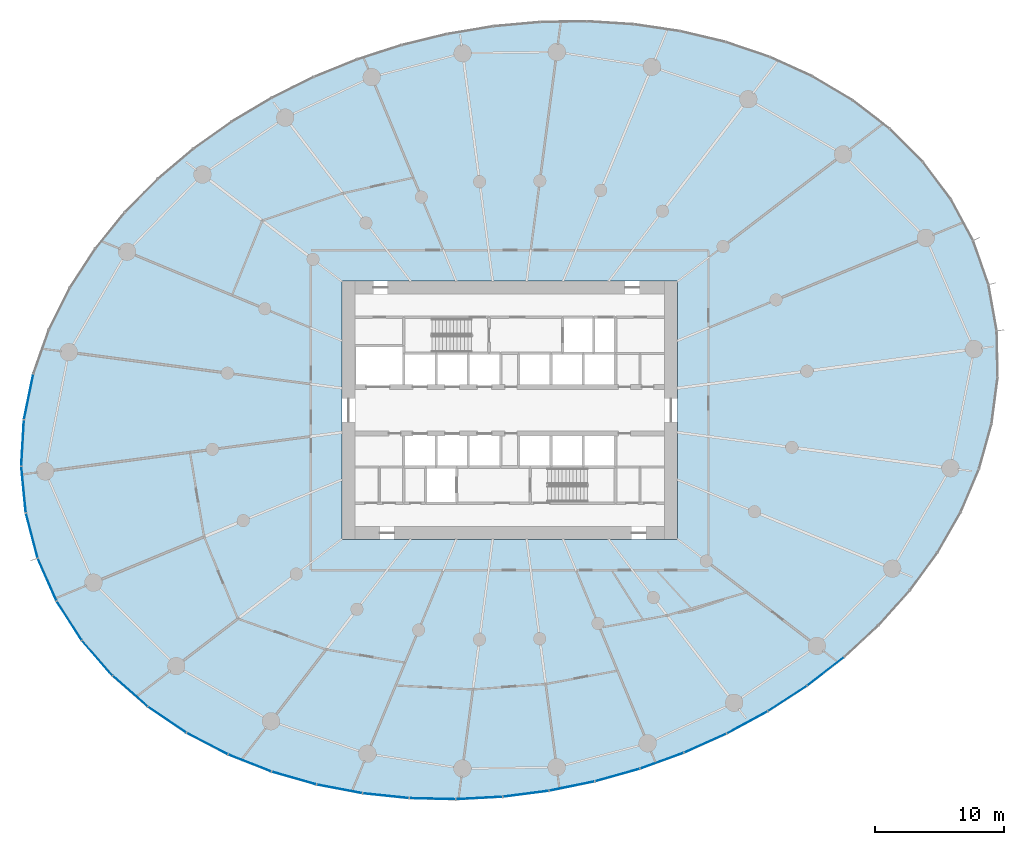
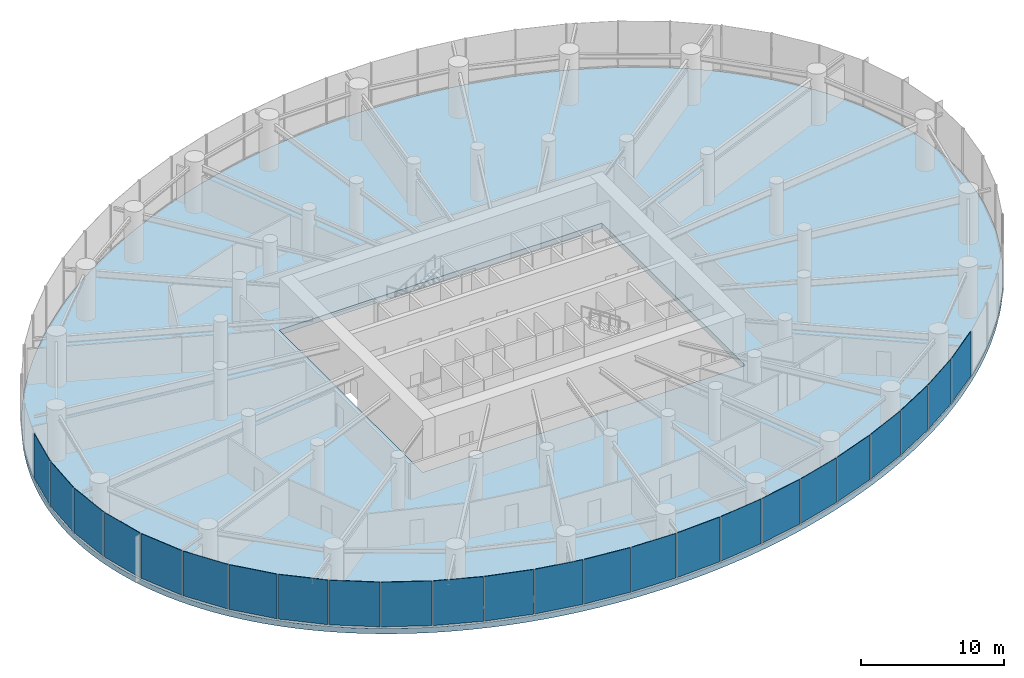
# One storey, part 9 of 18: 24 plates, 1 slab, 5 elements without a shape of their own.
"""IFC4 building model written with IfcOpenShell, lengths in metres."""

from ifc_helpers import new_model, si_unit, direction, frame, origin, origin_2d, place, context, subcontext, project, spatial, line, indexed_curve, rectangle, outline, extrude, source, transform, mapped, material, layer, layer_set, type_object, element, aggregate, save


model = new_model("IFC4")

# Units and contexts
model_context = context("Model", 3, precision=1e-05, world=origin(), true_north=direction((0.0, 1.0)))
body_context = subcontext(model_context, "Body", "Model", "MODEL_VIEW")
ifc_project = project(units=[si_unit("LENGTHUNIT", "METRE"), si_unit("AREAUNIT", "SQUARE_METRE"), si_unit("VOLUMEUNIT", "CUBIC_METRE"), si_unit("PLANEANGLEUNIT", "RADIAN"), si_unit("MASSUNIT", "GRAM", prefix="KILO")], contexts=[model_context])

# Site, building, storey
site_placement = place(None, origin())
site = spatial("IfcSite", under=ifc_project, at=site_placement, CompositionType="ELEMENT")
building_placement = place(site_placement, origin())
building = spatial("IfcBuilding", under=site, at=building_placement, Name="Spindrift Exchange Tower", CompositionType="ELEMENT")
storey_placement = place(building_placement, frame((0.0, 0.0, 66.60009765625)))
storey = spatial("IfcBuildingStorey", under=building, at=storey_placement, Name="L15", CompositionType="ELEMENT", Elevation=66.60009765625)

# Slab
ifc_material_1 = material(Name="Concrete 50 MPa", Category="concrete")
ifc_layer_1 = layer(ifc_material_1, 0.449951171875)
ifc_layer_set_1 = layer_set([ifc_layer_1], Name="RC Floor Slab 450 Concrete 50 MPa")
slab_type = type_object("IfcSlabType", Name="RC Floor Slab 450 Concrete 50 MPa", PredefinedType="FLOOR", material=ifc_layer_set_1)
slab_placement = place(storey_placement, frame((0.0, 0.0, -0.4501953125)))
element("IfcSlab", 1, at=slab_placement, inside=storey, type_object=slab_type, Name="Floor slab L15", PredefinedType="FLOOR", context=body_context, shape_type="SweptSolid", body=[
    extrude(outline(indexed_curve([(89.095458984375, 57.72900390625), (88.93701171875, 58.30224609375), (88.763671875, 58.87109375), (88.575439453125, 59.43505859375), (88.372802734375, 59.993896484375), (88.155517578125, 60.547607421875), (87.923828125, 61.09521484375), (87.67822265625, 61.63671875), (87.4189453125, 62.171630859375), (87.14599609375, 62.699951171875), (86.859619140625, 63.22119140625), (86.560302734375, 63.73486328125), (86.248291015625, 64.240966796875), (85.923583984375, 64.7392578125), (85.587158203125, 65.2294921875), (85.23876953125, 65.711181640625), (84.87890625, 66.184814453125), (84.5078125, 66.6494140625), (84.126220703125, 67.105224609375), (83.73388671875, 67.552001953125), (83.331298828125, 67.98974609375), (82.919189453125, 68.418212890625), (82.49755859375, 68.837646484375), (82.066650390625, 69.247314453125), (81.627197265625, 69.647705078125), (81.178955078125, 70.03857421875), (80.72265625, 70.419921875), (80.258544921875, 70.79150390625), (79.786865234375, 71.15380859375), (79.30810546875, 71.506103515625), (78.822265625, 71.848876953125), (78.32958984375, 72.18212890625), (77.830810546875, 72.505615234375), (77.32568359375, 72.819580078125), (76.81494140625, 73.1240234375), (76.298583984375, 73.418701171875), (75.77685546875, 73.7041015625), (75.25, 73.97998046875), (74.718505859375, 74.246337890625), (74.182373046875, 74.50341796875), (73.641845703125, 74.7509765625), (73.096923828125, 74.989501953125), (72.54833984375, 75.218505859375), (71.43994140625, 75.6494140625), (70.880615234375, 75.851318359375), (69.752685546875, 76.228271484375), (68.61376953125, 76.56982421875), (68.040283203125, 76.727294921875), (67.464599609375, 76.87646484375), (66.30712890625, 77.148681640625), (65.725341796875, 77.27197265625), (64.556884765625, 77.49365234375), (63.970703125, 77.592041015625), (62.7939453125, 77.76416015625), (62.203857421875, 77.837890625), (61.02099609375, 77.9619140625), (59.83544921875, 78.0537109375), (59.24169921875, 78.087890625), (58.647705078125, 78.114501953125), (57.458984375, 78.144287109375), (56.864501953125, 78.14794921875), (55.67529296875, 78.132080078125), (55.080810546875, 78.11328125), (53.893310546875, 78.052734375), (52.70751953125, 77.962890625), (52.115478515625, 77.906982421875), (51.524169921875, 77.843994140625), (50.34423828125, 77.6962890625), (49.168212890625, 77.520263671875), (48.581787109375, 77.42138671875), (47.41259765625, 77.202880859375), (46.249267578125, 76.95654296875), (45.669921875, 76.822998046875), (44.51611328125, 76.534912109375), (43.369384765625, 76.219482421875), (42.799072265625, 76.051513671875), (41.664306640625, 75.6953125), (40.538818359375, 75.31201171875), (39.979248046875, 75.110107421875), (38.8681640625, 74.6865234375), (38.31640625, 74.464599609375), (37.221435546875, 74.0009765625), (36.67822265625, 73.759033203125), (35.60107421875, 73.255126953125), (35.067138671875, 72.993408203125), (34.009521484375, 72.449951171875), (32.965576171875, 71.8798828125), (32.44921875, 71.585205078125), (31.936767578125, 71.28369140625), (30.923583984375, 70.660888671875), (29.927001953125, 70.011962890625), (29.435302734375, 69.677734375), (28.465576171875, 68.989501953125), (27.98779296875, 68.635498046875), (27.514892578125, 68.27490234375), (26.584228515625, 67.534423828125), (26.126953125, 67.154296875), (25.228759765625, 66.375), (24.353759765625, 65.569580078125), (23.92529296875, 65.1572265625), (23.08740234375, 64.3134765625), (22.67822265625, 63.882080078125), (22.27587890625, 63.444091796875), (21.4921875, 62.549560546875), (20.738037109375, 61.630126953125), (20.37255859375, 61.1611328125), (20.014892578125, 60.686279296875), (19.66552734375, 60.205078125), (19.324462890625, 59.718017578125), (18.9921875, 59.22509765625), (18.66845703125, 58.72607421875), (18.35400390625, 58.221435546875), (18.048583984375, 57.711181640625), (17.7529296875, 57.1953125), (17.467041015625, 56.673828125), (17.191162109375, 56.147216796875), (16.925537109375, 55.615234375), (16.670654296875, 55.078125), (16.42626953125, 54.535888671875), (16.193115234375, 53.989013671875), (15.97119140625, 53.4375), (15.7607421875, 52.881103515625), (15.56201171875, 52.32080078125), (15.37548828125, 51.756103515625), (15.201416015625, 51.1875), (15.039794921875, 50.615478515625), (14.890869140625, 50.039794921875), (14.755126953125, 49.460693359375), (14.632568359375, 48.87890625), (14.523681640625, 48.29443359375), (14.428466796875, 47.70751953125), (14.347412109375, 47.118408203125), (14.2802734375, 46.527587890625), (14.2275390625, 45.935302734375), (14.189453125, 45.342041015625), (14.166015625, 44.747802734375), (14.1572265625, 44.1533203125), (14.16357421875, 43.55859375), (14.18505859375, 42.964599609375), (14.221435546875, 42.37109375), (14.273193359375, 41.778564453125), (14.34033203125, 41.187744140625), (14.422607421875, 40.59912109375), (14.520263671875, 40.012451171875), (14.63330078125, 39.4287109375), (14.76123046875, 38.847900390625), (14.904541015625, 38.27099609375), (15.06298828125, 37.69775390625), (15.236328125, 37.12890625), (15.424560546875, 36.56494140625), (15.627197265625, 36.006103515625), (15.844482421875, 35.452392578125), (16.076171875, 34.90478515625), (16.32177734375, 34.36328125), (16.5810546875, 33.828369140625), (16.85400390625, 33.300048828125), (17.140380859375, 32.77880859375), (17.439697265625, 32.26513671875), (17.751708984375, 31.759033203125), (18.076416015625, 31.2607421875), (18.412841796875, 30.7705078125), (18.76123046875, 30.288818359375), (19.12109375, 29.815185546875), (19.4921875, 29.3505859375), (19.873779296875, 28.894775390625), (20.26611328125, 28.447998046875), (20.668701171875, 28.01025390625), (21.080810546875, 27.581787109375), (21.50244140625, 27.162353515625), (21.933349609375, 26.752685546875), (22.372802734375, 26.352294921875), (22.821044921875, 25.96142578125), (23.27734375, 25.580078125), (23.741455078125, 25.20849609375), (24.213134765625, 24.84619140625), (24.69189453125, 24.493896484375), (25.177734375, 24.151123046875), (25.67041015625, 23.81787109375), (26.169189453125, 23.494384765625), (26.67431640625, 23.180419921875), (27.18505859375, 22.8759765625), (27.701416015625, 22.581298828125), (28.22314453125, 22.2958984375), (28.75, 22.02001953125), (29.281494140625, 21.753662109375), (29.817626953125, 21.49658203125), (30.358154296875, 21.2490234375), (30.903076171875, 21.010498046875), (31.45166015625, 20.781494140625), (32.56005859375, 20.3505859375), (33.119384765625, 20.148681640625), (34.247314453125, 19.771728515625), (35.38623046875, 19.43017578125), (35.959716796875, 19.272705078125), (36.535400390625, 19.12353515625), (37.69287109375, 18.851318359375), (38.274658203125, 18.72802734375), (39.443115234375, 18.50634765625), (40.029296875, 18.407958984375), (41.2060546875, 18.23583984375), (41.796142578125, 18.162109375), (42.97900390625, 18.0380859375), (44.16455078125, 17.9462890625), (44.75830078125, 17.912109375), (45.352294921875, 17.885498046875), (46.541015625, 17.855712890625), (47.135498046875, 17.85205078125), (48.32470703125, 17.867919921875), (48.919189453125, 17.88671875), (50.106689453125, 17.947265625), (51.29248046875, 18.037109375), (51.884521484375, 18.093017578125), (52.475830078125, 18.156005859375), (53.65576171875, 18.3037109375), (54.831787109375, 18.479736328125), (55.418212890625, 18.57861328125), (56.58740234375, 18.797119140625), (57.750732421875, 19.04345703125), (58.330078125, 19.177001953125), (59.48388671875, 19.465087890625), (60.630615234375, 19.780517578125), (61.200927734375, 19.948486328125), (62.335693359375, 20.3046875), (63.461181640625, 20.68798828125), (64.020751953125, 20.889892578125), (65.1318359375, 21.3134765625), (65.68359375, 21.535400390625), (66.778564453125, 21.9990234375), (67.32177734375, 22.240966796875), (68.39892578125, 22.744873046875), (68.932861328125, 23.006591796875), (69.990478515625, 23.550048828125), (71.034423828125, 24.1201171875), (71.55078125, 24.414794921875), (72.063232421875, 24.71630859375), (73.076416015625, 25.339111328125), (74.072998046875, 25.988037109375), (74.564697265625, 26.322265625), (75.534423828125, 27.010498046875), (76.01220703125, 27.364501953125), (76.485107421875, 27.72509765625), (77.415771484375, 28.465576171875), (77.873046875, 28.845703125), (78.771240234375, 29.625), (79.646240234375, 30.430419921875), (80.07470703125, 30.8427734375), (80.91259765625, 31.6865234375), (81.32177734375, 32.117919921875), (81.72412109375, 32.555908203125), (82.5078125, 33.450439453125), (83.261962890625, 34.369873046875), (83.62744140625, 34.8388671875), (83.985107421875, 35.313720703125), (84.33447265625, 35.794921875), (84.675537109375, 36.281982421875), (85.0078125, 36.77490234375), (85.33154296875, 37.27392578125), (85.64599609375, 37.778564453125), (85.951416015625, 38.288818359375), (86.2470703125, 38.8046875), (86.532958984375, 39.326171875), (86.808837890625, 39.852783203125), (87.074462890625, 40.384765625), (87.329345703125, 40.921875), (87.57373046875, 41.464111328125), (87.806884765625, 42.010986328125), (88.02880859375, 42.5625), (88.2392578125, 43.118896484375), (88.43798828125, 43.67919921875), (88.62451171875, 44.243896484375), (88.798583984375, 44.8125), (88.960205078125, 45.384521484375), (89.109130859375, 45.960205078125), (89.244873046875, 46.539306640625), (89.367431640625, 47.12109375), (89.476318359375, 47.70556640625), (89.571533203125, 48.29248046875), (89.652587890625, 48.881591796875), (89.7197265625, 49.472412109375), (89.7724609375, 50.064697265625), (89.810546875, 50.657958984375), (89.833984375, 51.252197265625), (89.8427734375, 51.8466796875), (89.83642578125, 52.44140625), (89.81494140625, 53.035400390625), (89.778564453125, 53.62890625), (89.726806640625, 54.221435546875), (89.65966796875, 54.812255859375), (89.577392578125, 55.40087890625), (89.479736328125, 55.987548828125), (89.36669921875, 56.5712890625), (89.23876953125, 57.152099609375)], segments=[line(1, 2, 3, 4, 5, 6, 7, 8, 9, 10, 11, 12, 13, 14, 15, 16, 17, 18, 19, 20, 21, 22, 23, 24, 25, 26, 27, 28, 29, 30, 31, 32, 33, 34, 35, 36, 37, 38, 39, 40, 41, 42, 43, 44, 45, 46, 47, 48, 49, 50, 51, 52, 53, 54, 55, 56, 57, 58, 59, 60, 61, 62, 63, 64, 65, 66, 67, 68, 69, 70, 71, 72, 73, 74, 75, 76, 77, 78, 79, 80, 81, 82, 83, 84, 85, 86, 87, 88, 89, 90, 91, 92, 93, 94, 95, 96, 97, 98, 99, 100, 101, 102, 103, 104, 105, 106, 107, 108, 109, 110, 111, 112, 113, 114, 115, 116, 117, 118, 119, 120, 121, 122, 123, 124, 125, 126, 127, 128, 129, 130, 131, 132, 133, 134, 135, 136, 137, 138, 139, 140, 141, 142, 143, 144, 145, 146, 147, 148, 149, 150, 151, 152, 153, 154, 155, 156, 157, 158, 159, 160, 161, 162, 163, 164, 165, 166, 167, 168, 169, 170, 171, 172, 173, 174, 175, 176, 177, 178, 179, 180, 181, 182, 183, 184, 185, 186, 187, 188, 189, 190, 191, 192, 193, 194, 195, 196, 197, 198, 199, 200, 201, 202, 203, 204, 205, 206, 207, 208, 209, 210, 211, 212, 213, 214, 215, 216, 217, 218, 219, 220, 221, 222, 223, 224, 225, 226, 227, 228, 229, 230, 231, 232, 233, 234, 235, 236, 237, 238, 239, 240, 241, 242, 243, 244, 245, 246, 247, 248, 249, 250, 251, 252, 253, 254, 255, 256, 257, 258, 259, 260, 261, 262, 263, 264, 265, 266, 267, 268, 269, 270, 271, 272, 273, 274, 275, 276, 277, 278, 279, 280, 281, 282, 283, 284, 285, 286, 287, 288, 289, 290, 291, 292, 1)], self_intersect=False), holes=[indexed_curve([(39.0, 38.0), (65.0, 38.0), (65.0, 58.0), (39.0, 58.0)], segments=[line(1, 2, 3, 4, 1)], self_intersect=False)]), origin(), (0.0, 0.0, 1.0), 0.4501953125),
])

# Curtain wall, plate
ifc_material_2 = material(Name="Fritted laminated glass with bronze frame", Category="glass")
ifc_layer_2 = layer(ifc_material_2, 0.199951171875)
ifc_layer_set_2 = layer_set([ifc_layer_2], Name="ZONE 1 BRONZE FRITTED WALL")
curtain_wall_type = type_object("IfcCurtainWallType", Name="ZONE 1 BRONZE FRITTED WALL", PredefinedType="NOTDEFINED", material=ifc_layer_set_2)
curtain_wall_1_placement = place(storey_placement, origin())
curtain_wall_1 = element("IfcCurtainWall", 2, at=curtain_wall_1_placement, inside=storey, type_object=curtain_wall_type, Name="L15 Zone 1 Bronze Fritted Wall run 6", PredefinedType="NOTDEFINED")
ifc_material_3 = material(Name="Bronze fritted laminated glass, dense frit", Category="glass")
ifc_layer_3 = layer(ifc_material_3, 0.035888671875)
ifc_layer_set_3 = layer_set([ifc_layer_3], Name="ZONE 1 BRONZE FRITTED WALL PANEL DENSE FRIT 180")
plate_type_1 = type_object("IfcPlateType", Name="ZONE 1 BRONZE FRITTED WALL PANEL DENSE FRIT 180", PredefinedType="CURTAIN_PANEL", material=ifc_layer_set_3)
shared_shape_1 = source(origin(), body_context, "Body", "SweptSolid", [
    extrude(rectangle(XDim=3.544921875, YDim=0.035888671875, at=origin_2d()), origin(), (0.0, 0.0, 1.0), 3.800048828125),
])
plate_1_placement = place(storey_placement, frame((17.874267578125, 31.69384765625, 0.14990234375), z_axis=(0.0, 0.0, 1.0), x_axis=(0.539255913365, -0.842141947596, 0.0)))
plate_1 = element("IfcPlate", 3, at=plate_1_placement, type_object=plate_type_1, Name="L15 panel CW-1.32", PredefinedType="CURTAIN_PANEL", context=body_context, shape_type="MappedRepresentation", body=[
    mapped(shared_shape_1, transform((0.0, 0.0, 0.0), scale=1.0)),
])

# Curtain wall, plates
curtain_wall_2_placement = place(storey_placement, origin())
curtain_wall_2 = element("IfcCurtainWall", 4, at=curtain_wall_2_placement, inside=storey, type_object=curtain_wall_type, Name="L15 Zone 1 Bronze Fritted Wall run 9", PredefinedType="NOTDEFINED")
ifc_layer_4 = layer(ifc_material_3, 0.035888671875)
ifc_layer_set_4 = layer_set([ifc_layer_4], Name="ZONE 1 BRONZE FRITTED WALL PANEL DENSE FRIT 420")
plate_type_2 = type_object("IfcPlateType", Name="ZONE 1 BRONZE FRITTED WALL PANEL DENSE FRIT 420", PredefinedType="CURTAIN_PANEL", material=ifc_layer_set_4)
shared_shape_2 = source(origin(), body_context, "Body", "SweptSolid", [
    extrude(rectangle(XDim=3.547119140625, YDim=0.035888671875, at=origin_2d()), origin(), (0.0, 0.0, 1.0), 3.800048828125),
])
plate_2_placement = place(storey_placement, frame((73.523193359375, 25.668701171875, 0.14990234375), z_axis=(0.0, 0.0, 1.0), x_axis=(0.83838718334, 0.545075160699, 0.0)))
plate_2 = element("IfcPlate", 5, at=plate_2_placement, type_object=plate_type_2, Name="L15 panel CW-1.49", PredefinedType="CURTAIN_PANEL", context=body_context, shape_type="MappedRepresentation", body=[
    mapped(shared_shape_2, transform((0.0, 0.0, 0.0), scale=1.0)),
])
plate_3_placement = place(storey_placement, frame((76.477783203125, 27.767578125, 0.14990234375), z_axis=(0.0, 0.0, 1.0), x_axis=(0.790671408543, 0.612240739997, 0.0)))
plate_3 = element("IfcPlate", 6, at=plate_3_placement, type_object=plate_type_2, Name="L15 panel CW-1.50", PredefinedType="CURTAIN_PANEL", context=body_context, shape_type="MappedRepresentation", body=[
    mapped(shared_shape_2, transform((0.0, 0.0, 0.0), scale=1.0)),
])
aggregate(curtain_wall_2, [plate_2, plate_3])

curtain_wall_3_placement = place(storey_placement, origin())
curtain_wall_3 = element("IfcCurtainWall", 7, at=curtain_wall_3_placement, inside=storey, type_object=curtain_wall_type, Name="L15 Zone 1 Bronze Fritted Wall run 7", PredefinedType="NOTDEFINED")
ifc_layer_5 = layer(ifc_material_3, 0.035888671875)
ifc_layer_set_5 = layer_set([ifc_layer_5], Name="ZONE 1 BRONZE FRITTED WALL PANEL DENSE FRIT 300")
plate_type_3 = type_object("IfcPlateType", Name="ZONE 1 BRONZE FRITTED WALL PANEL DENSE FRIT 300", PredefinedType="CURTAIN_PANEL", material=ifc_layer_set_5)
shared_shape_3 = source(origin(), body_context, "Body", "SweptSolid", [
    extrude(rectangle(XDim=3.547119140625, YDim=0.035888671875, at=origin_2d()), origin(), (0.0, 0.0, 1.0), 3.800048828125),
])
plate_4_placement = place(storey_placement, frame((38.81591796875, 18.661376953125, 0.14990234375), z_axis=(0.0, 0.0, 1.0), x_axis=(0.982215229059, -0.187758471991, 0.0)))
plate_4 = element("IfcPlate", 8, at=plate_4_placement, type_object=plate_type_3, Name="L15 panel CW-1.39", PredefinedType="CURTAIN_PANEL", context=body_context, shape_type="MappedRepresentation", body=[
    mapped(shared_shape_3, transform((0.0, 0.0, 0.0), scale=1.0)),
])
shared_shape_4 = source(origin(), body_context, "Body", "SweptSolid", [
    extrude(rectangle(XDim=3.54736328125, YDim=0.035888671875, at=origin_2d()), origin(), (0.0, 0.0, 1.0), 3.800048828125),
])
plate_5_placement = place(storey_placement, frame((42.40087890625, 18.132080078125, 0.14990234375), z_axis=(0.0, 0.0, 1.0), x_axis=(0.994581208711, -0.10396258596, 0.0)))
plate_5 = element("IfcPlate", 9, at=plate_5_placement, type_object=plate_type_3, Name="L15 panel CW-1.40", PredefinedType="CURTAIN_PANEL", context=body_context, shape_type="MappedRepresentation", body=[
    mapped(shared_shape_4, transform((0.0, 0.0, 0.0), scale=1.0)),
])
plate_6_placement = place(storey_placement, frame((49.64208984375, 17.95458984375, 0.14990234375), z_axis=(0.0, 0.0, 1.0), x_axis=(0.998570265354, 0.053454888926, 0.0)))
plate_6 = element("IfcPlate", 10, at=plate_6_placement, type_object=plate_type_3, Name="L15 panel CW-1.42", PredefinedType="CURTAIN_PANEL", context=body_context, shape_type="MappedRepresentation", body=[
    mapped(shared_shape_4, transform((0.0, 0.0, 0.0), scale=1.0)),
])

curtain_wall_4_placement = place(storey_placement, origin())
curtain_wall_4 = element("IfcCurtainWall", 11, at=curtain_wall_4_placement, inside=storey, type_object=curtain_wall_type, Name="L15 Zone 1 Bronze Fritted Wall run 8", PredefinedType="NOTDEFINED")
plate_7_placement = place(storey_placement, frame((67.160888671875, 22.205810546875, 0.14990234375), z_axis=(0.0, 0.0, 1.0), x_axis=(0.912332482466, 0.409450169663, 0.0)))
plate_7 = element("IfcPlate", 12, at=plate_7_placement, type_object=plate_type_3, Name="L15 panel CW-1.47", PredefinedType="CURTAIN_PANEL", context=body_context, shape_type="MappedRepresentation", body=[
    mapped(shared_shape_4, transform((0.0, 0.0, 0.0), scale=1.0)),
])
shared_shape_5 = source(origin(), body_context, "Body", "SweptSolid", [
    extrude(rectangle(XDim=3.54736328125, YDim=0.035888671875, at=origin_2d()), origin(), (0.0, 0.0, 1.0), 3.800048828125),
])
plate_8_placement = place(storey_placement, frame((53.251953125, 18.28369140625, 0.14990234375), z_axis=(0.0, 0.0, 1.0), x_axis=(0.991774246503, 0.127999390518, 0.0)))
plate_8 = element("IfcPlate", 13, at=plate_8_placement, type_object=plate_type_1, Name="L15 panel CW-1.43", PredefinedType="CURTAIN_PANEL", context=body_context, shape_type="MappedRepresentation", body=[
    mapped(shared_shape_5, transform((0.0, 0.0, 0.0), scale=1.0)),
])
plate_9_placement = place(storey_placement, frame((56.82763671875, 18.87939453125, 0.14990234375), z_axis=(0.0, 0.0, 1.0), x_axis=(0.979699297924, 0.200472655612, 0.0)))
plate_9 = element("IfcPlate", 14, at=plate_9_placement, type_object=plate_type_1, Name="L15 panel CW-1.44", PredefinedType="CURTAIN_PANEL", context=body_context, shape_type="MappedRepresentation", body=[
    mapped(shared_shape_5, transform((0.0, 0.0, 0.0), scale=1.0)),
])
shared_shape_6 = source(origin(), body_context, "Body", "SweptSolid", [
    extrude(rectangle(XDim=3.54736328125, YDim=0.035888671875, at=origin_2d()), origin(), (0.0, 0.0, 1.0), 3.800048828125),
])
plate_10_placement = place(storey_placement, frame((60.35009765625, 19.73486328125, 0.14990234375), z_axis=(0.0, 0.0, 1.0), x_axis=(0.962511118891, 0.271242227559, 0.0)))
plate_10 = element("IfcPlate", 15, at=plate_10_placement, type_object=plate_type_2, Name="L15 panel CW-1.45", PredefinedType="CURTAIN_PANEL", context=body_context, shape_type="MappedRepresentation", body=[
    mapped(shared_shape_6, transform((0.0, 0.0, 0.0), scale=1.0)),
])
plate_11_placement = place(storey_placement, frame((70.4091796875, 23.814208984375, 0.14990234375), z_axis=(0.0, 0.0, 1.0), x_axis=(0.878656332572, 0.477454761449, 0.0)))
plate_11 = element("IfcPlate", 16, at=plate_11_placement, type_object=plate_type_2, Name="L15 panel CW-1.48", PredefinedType="CURTAIN_PANEL", context=body_context, shape_type="MappedRepresentation", body=[
    mapped(shared_shape_6, transform((0.0, 0.0, 0.0), scale=1.0)),
])

# Plate
shared_shape_7 = source(origin(), body_context, "Body", "SweptSolid", [
    extrude(rectangle(XDim=3.547119140625, YDim=0.035888671875, at=origin_2d()), origin(), (0.0, 0.0, 1.0), 3.800048828125),
])
plate_12_placement = place(storey_placement, frame((46.017822265625, 17.900634765625, 0.14990234375), z_axis=(0.0, 0.0, 1.0), x_axis=(0.999718220182, -0.023737738629, 0.0)))
plate_12 = element("IfcPlate", 17, at=plate_12_placement, type_object=plate_type_1, Name="L15 panel CW-1.41", PredefinedType="CURTAIN_PANEL", context=body_context, shape_type="MappedRepresentation", body=[
    mapped(shared_shape_7, transform((0.0, 0.0, 0.0), scale=1.0)),
])

shared_shape_8 = source(origin(), body_context, "Body", "SweptSolid", [
    extrude(rectangle(XDim=3.546875, YDim=0.035888671875, at=origin_2d()), origin(), (0.0, 0.0, 1.0), 3.800048828125),
])
plate_13_placement = place(storey_placement, frame((35.29150390625, 19.501220703125, 0.14990234375), z_axis=(0.0, 0.0, 1.0), x_axis=(0.961334305324, -0.275384010806, 0.0)))
plate_13 = element("IfcPlate", 18, at=plate_13_placement, type_object=plate_type_2, Name="L15 panel CW-1.38", PredefinedType="CURTAIN_PANEL", context=body_context, shape_type="MappedRepresentation", body=[
    mapped(shared_shape_8, transform((0.0, 0.0, 0.0), scale=1.0)),
])

# Curtain wall, plate
curtain_wall_5_placement = place(storey_placement, origin())
curtain_wall_5 = element("IfcCurtainWall", 19, at=curtain_wall_5_placement, inside=storey, type_object=curtain_wall_type, Name="L15 Zone 1 Bronze Fritted Wall run 5", PredefinedType="NOTDEFINED")
shared_shape_9 = source(origin(), body_context, "Body", "SweptSolid", [
    extrude(rectangle(XDim=3.54443359375, YDim=0.035888671875, at=origin_2d()), origin(), (0.0, 0.0, 1.0), 3.800048828125),
])
plate_14_placement = place(storey_placement, frame((14.33837890625, 41.845703125, 0.14990234375), z_axis=(0.0, 0.0, 1.0), x_axis=(0.097476942237, -0.995237783513, 0.0)))
plate_14 = element("IfcPlate", 20, at=plate_14_placement, type_object=plate_type_1, Name="L15 panel CW-1.29", PredefinedType="CURTAIN_PANEL", context=body_context, shape_type="MappedRepresentation", body=[
    mapped(shared_shape_9, transform((0.0, 0.0, 0.0), scale=1.0)),
])

# Plate
plate_15_placement = place(storey_placement, frame((16.165771484375, 34.87841796875, 0.14990234375), z_axis=(0.0, 0.0, 1.0), x_axis=(0.40353092415, -0.914966006612, 0.0)))
plate_15 = element("IfcPlate", 21, at=plate_15_placement, type_object=plate_type_1, Name="L15 panel CW-1.31", PredefinedType="CURTAIN_PANEL", context=body_context, shape_type="MappedRepresentation", body=[
    mapped(shared_shape_9, transform((0.0, 0.0, 0.0), scale=1.0)),
])

shared_shape_10 = source(origin(), body_context, "Body", "SweptSolid", [
    extrude(rectangle(XDim=3.54443359375, YDim=0.035888671875, at=origin_2d()), origin(), (0.0, 0.0, 1.0), 3.800048828125),
])
plate_16_placement = place(storey_placement, frame((14.974609375, 38.289306640625, 0.14990234375), z_axis=(0.0, 0.0, 1.0), x_axis=(0.253698857087, -0.967283252162, 0.0)))
plate_16 = element("IfcPlate", 22, at=plate_16_placement, type_object=plate_type_2, Name="L15 panel CW-1.30", PredefinedType="CURTAIN_PANEL", context=body_context, shape_type="MappedRepresentation", body=[
    mapped(shared_shape_10, transform((0.0, 0.0, 0.0), scale=1.0)),
])

shared_shape_11 = source(origin(), body_context, "Body", "SweptSolid", [
    extrude(rectangle(XDim=3.545166015625, YDim=0.035888671875, at=origin_2d()), origin(), (0.0, 0.0, 1.0), 3.800048828125),
])
plate_17_placement = place(storey_placement, frame((14.731201171875, 49.0439453125, 0.14990234375), z_axis=(0.0, 0.0, 1.0), x_axis=(-0.201120662988, -0.979566474987, 0.0)))
plate_17 = element("IfcPlate", 23, at=plate_17_placement, type_object=plate_type_3, Name="L15 panel CW-1.27", PredefinedType="CURTAIN_PANEL", context=body_context, shape_type="MappedRepresentation", body=[
    mapped(shared_shape_11, transform((0.0, 0.0, 0.0), scale=1.0)),
])

shared_shape_12 = source(origin(), body_context, "Body", "SweptSolid", [
    extrude(rectangle(XDim=3.545654296875, YDim=0.035888671875, at=origin_2d()), origin(), (0.0, 0.0, 1.0), 3.800048828125),
])
plate_18_placement = place(storey_placement, frame((22.593017578125, 26.236328125, 0.14990234375), z_axis=(0.0, 0.0, 1.0), x_axis=(0.752000893608, -0.659162086298, 0.0)))
plate_18 = element("IfcPlate", 24, at=plate_18_placement, type_object=plate_type_3, Name="L15 panel CW-1.34", PredefinedType="CURTAIN_PANEL", context=body_context, shape_type="MappedRepresentation", body=[
    mapped(shared_shape_12, transform((0.0, 0.0, 0.0), scale=1.0)),
])

shared_shape_13 = source(origin(), body_context, "Body", "SweptSolid", [
    extrude(rectangle(XDim=3.54638671875, YDim=0.035888671875, at=origin_2d()), origin(), (0.0, 0.0, 1.0), 3.800048828125),
])
plate_19_placement = place(storey_placement, frame((28.56689453125, 22.17041015625, 0.14990234375), z_axis=(0.0, 0.0, 1.0), x_axis=(0.886635796037, -0.462468339657, 0.0)))
plate_19 = element("IfcPlate", 25, at=plate_19_placement, type_object=plate_type_2, Name="L15 panel CW-1.36", PredefinedType="CURTAIN_PANEL", context=body_context, shape_type="MappedRepresentation", body=[
    mapped(shared_shape_13, transform((0.0, 0.0, 0.0), scale=1.0)),
])

shared_shape_14 = source(origin(), body_context, "Body", "SweptSolid", [
    extrude(rectangle(XDim=3.546142578125, YDim=0.035888671875, at=origin_2d()), origin(), (0.0, 0.0, 1.0), 3.800048828125),
])
plate_20_placement = place(storey_placement, frame((25.457763671875, 24.025146484375, 0.14990234375), z_axis=(0.0, 0.0, 1.0), x_axis=(0.828139584818, -0.560521924689, 0.0)))
plate_20 = element("IfcPlate", 26, at=plate_20_placement, type_object=plate_type_1, Name="L15 panel CW-1.35", PredefinedType="CURTAIN_PANEL", context=body_context, shape_type="MappedRepresentation", body=[
    mapped(shared_shape_14, transform((0.0, 0.0, 0.0), scale=1.0)),
])

shared_shape_15 = source(origin(), body_context, "Body", "SweptSolid", [
    extrude(rectangle(XDim=3.546630859375, YDim=0.035888671875, at=origin_2d()), origin(), (0.0, 0.0, 1.0), 3.800048828125),
])
plate_21_placement = place(storey_placement, frame((31.861083984375, 20.666259765625, 0.14990234375), z_axis=(0.0, 0.0, 1.0), x_axis=(0.930187745512, -0.367084129457, 0.0)))
plate_21 = element("IfcPlate", 27, at=plate_21_placement, type_object=plate_type_2, Name="L15 panel CW-1.37", PredefinedType="CURTAIN_PANEL", context=body_context, shape_type="MappedRepresentation", body=[
    mapped(shared_shape_15, transform((0.0, 0.0, 0.0), scale=1.0)),
])

aggregate(curtain_wall_3, [plate_21, plate_13, plate_4, plate_5, plate_12, plate_6])

shared_shape_16 = source(origin(), body_context, "Body", "SweptSolid", [
    extrude(rectangle(XDim=3.544921875, YDim=0.035888671875, at=origin_2d()), origin(), (0.0, 0.0, 1.0), 3.800048828125),
])
plate_22_placement = place(storey_placement, frame((14.26416015625, 45.458984375, 0.14990234375), z_axis=(0.0, 0.0, 1.0), x_axis=(-0.056555127772, -0.998399477926, 0.0)))
plate_22 = element("IfcPlate", 28, at=plate_22_placement, type_object=plate_type_3, Name="L15 panel CW-1.28", PredefinedType="CURTAIN_PANEL", context=body_context, shape_type="MappedRepresentation", body=[
    mapped(shared_shape_16, transform((0.0, 0.0, 0.0), scale=1.0)),
])

aggregate(curtain_wall_5, [plate_17, plate_22, plate_14, plate_16])

shared_shape_17 = source(origin(), body_context, "Body", "SweptSolid", [
    extrude(rectangle(XDim=3.545166015625, YDim=0.035888671875, at=origin_2d()), origin(), (0.0, 0.0, 1.0), 3.800048828125),
])
plate_23_placement = place(storey_placement, frame((20.040771484375, 28.799560546875, 0.14990234375), z_axis=(0.0, 0.0, 1.0), x_axis=(0.656003704126, -0.754757669834, 0.0)))
plate_23 = element("IfcPlate", 29, at=plate_23_placement, type_object=plate_type_1, Name="L15 panel CW-1.33", PredefinedType="CURTAIN_PANEL", context=body_context, shape_type="MappedRepresentation", body=[
    mapped(shared_shape_17, transform((0.0, 0.0, 0.0), scale=1.0)),
])

aggregate(curtain_wall_1, [plate_15, plate_1, plate_23, plate_18, plate_20, plate_19])

shared_shape_18 = source(origin(), body_context, "Body", "SweptSolid", [
    extrude(rectangle(XDim=3.547607421875, YDim=0.035888671875, at=origin_2d()), origin(), (0.0, 0.0, 1.0), 3.800048828125),
])
plate_24_placement = place(storey_placement, frame((63.801025390625, 20.84521484375, 0.14990234375), z_axis=(0.0, 0.0, 1.0), x_axis=(0.940130001897, 0.340816049407, 0.0)))
plate_24 = element("IfcPlate", 30, at=plate_24_placement, type_object=plate_type_2, Name="L15 panel CW-1.46", PredefinedType="CURTAIN_PANEL", context=body_context, shape_type="MappedRepresentation", body=[
    mapped(shared_shape_18, transform((0.0, 0.0, 0.0), scale=1.0)),
])

aggregate(curtain_wall_4, [plate_8, plate_9, plate_10, plate_24, plate_7, plate_11])

save(model, "model.ifc")
